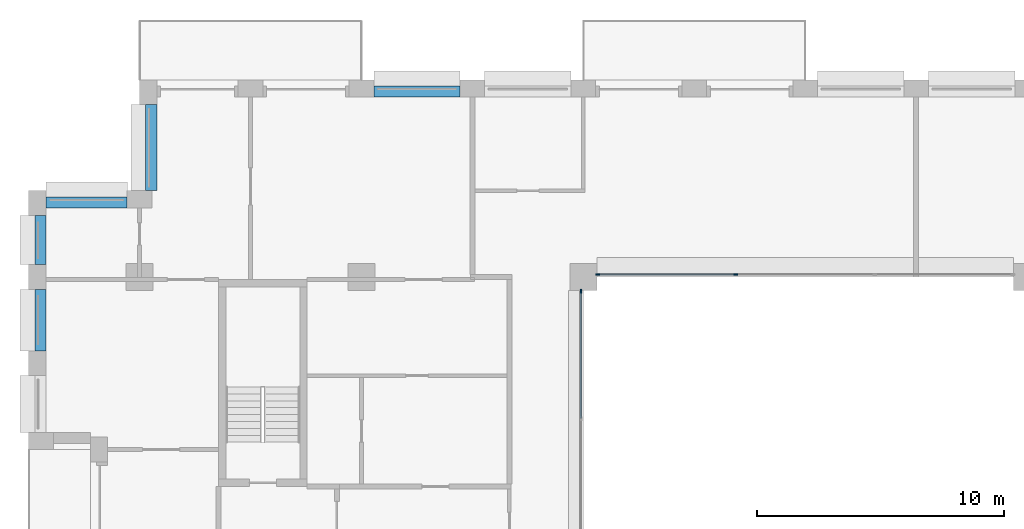
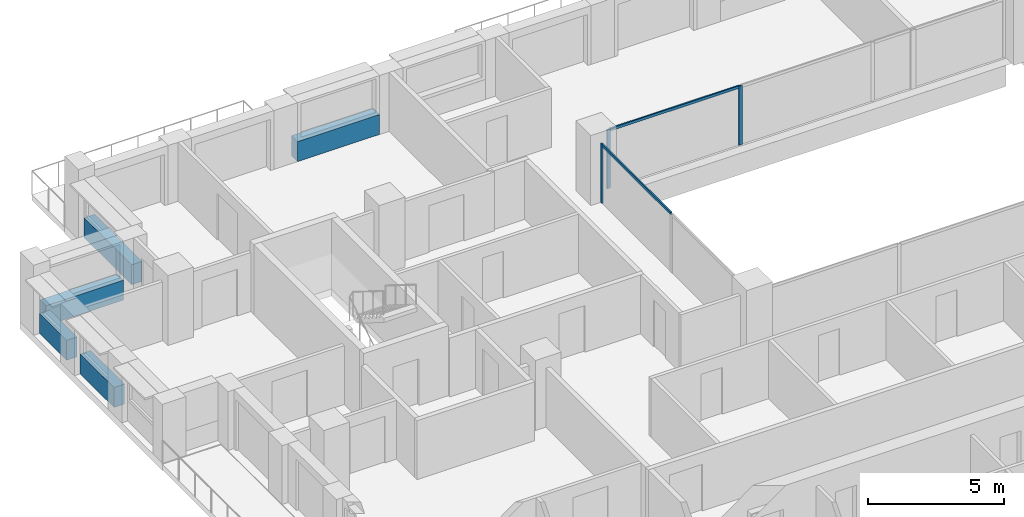
# One storey, part 5 of 16: 5 beams, 5 members, 2 elements without a shape of their own.
"""IFC4 building model written with IfcOpenShell, lengths in metres."""

import ifcopenshell
import ifcopenshell.guid

model = None  # the IFC model being written
_history = None  # IfcOwnerHistory: only IFC2X3 demands one
_inside = {}  # id of a spatial element -> (the spatial element, [elements in it])
_under = {}  # id of a project, library or spatial element -> (it, [spatial elements below it])
_declared = {}  # id of a project -> (the project, [libraries it declares])
_typed = {}  # id of a type object -> (the type object, [elements of that type])
_made_of = {}  # id of a material, layer set ... -> (it, [elements and type objects made of it])


def new_model(schema):
    """Start an empty IFC model of exactly this schema.

    Asked for "IFC4X3", IfcOpenShell would pick the latest addendum, in which some entities
    have other attributes; the version numbers below select the first issue.
    IFC2X3 requires an IfcOwnerHistory on every rooted entity: one is made here for all.
    """
    global model, _history
    if schema == "IFC4X3":
        model = ifcopenshell.file(schema_version=(4, 3, 0, 0))
    else:
        model = ifcopenshell.file(schema=schema)
    _inside.clear()
    _under.clear()
    _declared.clear()
    _typed.clear()
    _made_of.clear()
    _history = None
    if model.schema == "IFC2X3":
        org = make("IfcOrganization", Name="unknown")
        user = make(
            "IfcPersonAndOrganization",
            ThePerson=make("IfcPerson", FamilyName="unknown"),
            TheOrganization=org,
        )
        app = make(
            "IfcApplication",
            ApplicationDeveloper=org,
            Version="unknown",
            ApplicationFullName="unknown",
            ApplicationIdentifier="unknown",
        )
        _history = make(
            "IfcOwnerHistory",
            OwningUser=user,
            OwningApplication=app,
            ChangeAction="ADDED",
            CreationDate=0,
        )
    return model


def make(cls, **values):
    """One entity of the class cls with the attributes given. An attribute that is None is left unset."""
    return model.create_entity(
        cls, **{name: value for name, value in values.items() if value is not None}
    )


def rooted(cls, **values):
    """An entity with a GlobalId (a new one), such as an element, a storey or a relation."""
    return make(cls, GlobalId=ifcopenshell.guid.new(), OwnerHistory=_history, **values)


def si_unit(unit_type, name, prefix=None):
    """IfcSIUnit, for example si_unit("LENGTHUNIT", "METRE", prefix="MILLI")."""
    return make("IfcSIUnit", UnitType=unit_type, Prefix=prefix, Name=name)


def assignment(units):
    """IfcUnitAssignment: the units of a project."""
    return None if units is None else make("IfcUnitAssignment", Units=units)


def point(xyz):
    """IfcCartesianPoint."""
    return None if xyz is None else make("IfcCartesianPoint", Coordinates=xyz)


def direction(xyz):
    """IfcDirection."""
    return None if xyz is None else make("IfcDirection", DirectionRatios=xyz)


def frame(location, z_axis=None, x_axis=None):
    """IfcAxis2Placement3D, a coordinate frame: its origin and axes. An axis left out is left unset."""
    return make(
        "IfcAxis2Placement3D",
        Location=point(location),
        Axis=direction(z_axis),
        RefDirection=direction(x_axis),
    )


def frame_2d(location, x_axis=None):
    """IfcAxis2Placement2D, a coordinate frame in the plane: its origin and x axis."""
    return make(
        "IfcAxis2Placement2D", Location=point(location), RefDirection=direction(x_axis)
    )


def origin():
    """The frame at (0, 0, 0) with its axes left unset."""
    return frame((0.0, 0.0, 0.0))


def origin_2d():
    """The frame at (0, 0) in the plane with its x axis left unset."""
    return frame_2d((0.0, 0.0))


def place(relative_to, where):
    """IfcLocalPlacement: puts the frame where relative to a parent placement (None: the world)."""
    return make(
        "IfcLocalPlacement", PlacementRelTo=relative_to, RelativePlacement=where
    )


def context(
    kind, dimensions, precision=None, world=None, true_north=None, identifier=None
):
    """IfcGeometricRepresentationContext, for example the 3D "Model" context."""
    return make(
        "IfcGeometricRepresentationContext",
        ContextIdentifier=identifier,
        ContextType=kind,
        CoordinateSpaceDimension=dimensions,
        Precision=precision,
        WorldCoordinateSystem=world,
        TrueNorth=true_north,
    )


def subcontext(parent, identifier, kind, view, scale=None):
    """IfcGeometricRepresentationSubContext, for example "Body" below "Model"."""
    return make(
        "IfcGeometricRepresentationSubContext",
        ContextIdentifier=identifier,
        ContextType=kind,
        ParentContext=parent,
        TargetScale=scale,
        TargetView=view,
    )


def project(units=None, contexts=None):
    """IfcProject with its units and contexts."""
    return rooted(
        "IfcProject",
        Name="project",
        RepresentationContexts=contexts,
        UnitsInContext=assignment(units),
    )


def spatial(cls, under=None, at=None, **own):
    """A site, building, storey or space (cls), placed at a placement, below another one or the project."""
    s = rooted(cls, ObjectPlacement=at, **own)
    if under is not None:
        _under.setdefault(under.id(), (under, []))[1].append(s)
    return s


def profile(cls, at=None, kind="AREA", **sizes):
    """A parametric profile (cls). Its sizes go by their IFC names, for example OverallWidth=200.0."""
    return make(cls, ProfileType=kind, Position=at, **sizes)


def rectangle(**sizes):
    """IfcRectangleProfileDef."""
    return profile("IfcRectangleProfileDef", **sizes)


def extrude(swept, where, along, depth):
    """IfcExtrudedAreaSolid: the profile swept, set in the frame where, extruded along a direction by depth."""
    return make(
        "IfcExtrudedAreaSolid",
        SweptArea=swept,
        Position=where,
        ExtrudedDirection=direction(along),
        Depth=depth,
    )


def shape(context_of_items, identifier, shape_type, items):
    """IfcShapeRepresentation: the items that make up one representation, for example the "Body"."""
    return make(
        "IfcShapeRepresentation",
        ContextOfItems=context_of_items,
        RepresentationIdentifier=identifier,
        RepresentationType=shape_type,
        Items=items,
    )


def material(Name=None, Category=None):
    """IfcMaterial."""
    return make("IfcMaterial", Name=Name, Category=Category)


def layer(
    of_material, thickness, ventilated=None, Name=None, Category=None, Priority=None
):
    """IfcMaterialLayer: one layer of a wall or slab, of a material (None: an air gap)."""
    return make(
        "IfcMaterialLayer",
        Material=of_material,
        LayerThickness=thickness,
        IsVentilated=ventilated,
        Name=Name,
        Category=Category,
        Priority=Priority,
    )


def layer_set(layers, Name=None):
    """IfcMaterialLayerSet."""
    return make("IfcMaterialLayerSet", MaterialLayers=layers, LayerSetName=Name)


def material_profile(
    of_material, cross_section, Name=None, Category=None, Priority=None
):
    """IfcMaterialProfile: a cross section and its material."""
    return make(
        "IfcMaterialProfile",
        Name=Name,
        Material=of_material,
        Profile=cross_section,
        Priority=Priority,
        Category=Category,
    )


def profile_set(profiles, Name=None, composite=None):
    """IfcMaterialProfileSet."""
    return make(
        "IfcMaterialProfileSet",
        Name=Name,
        MaterialProfiles=profiles,
        CompositeProfile=composite,
    )


def made_of(thing, what):
    """Note that an element or type object is made of a material, layer set ...; save() writes the relation."""
    if what is not None:
        _made_of.setdefault(what.id(), (what, []))[1].append(thing)
    return thing


def type_object(cls, material=None, **own):
    """A type object (cls), such as IfcWallType, which elements share."""
    return made_of(rooted(cls, **own), material)


def element(
    cls,
    number,
    at=None,
    inside=None,
    cuts=None,
    type_object=None,
    material=None,
    context=None,
    identifier="Body",
    shape_type=None,
    held_by="IfcProductDefinitionShape",
    body=None,
    shapes=None,
    **own,
):
    """One element of the class cls, such as IfcWall. Its Tag is "e" and its number.

    at: its placement. inside: the storey or other place that contains it. cuts: it is an
    opening in that element (IfcRelVoidsElement). A single representation is given by context,
    identifier, shape_type and body (its items); several are given by shapes. held_by: the class
    of the entity that holds the representations. save() writes the other relations.
    """
    e = rooted(cls, Tag="e%d" % number, ObjectPlacement=at, **own)
    if body is not None:
        shapes = [shape(context, identifier, shape_type, body)]
    if shapes is not None:
        e.Representation = make(held_by, Representations=shapes)
    if inside is not None:
        _inside.setdefault(inside.id(), (inside, []))[1].append(e)
    if cuts is not None:
        rooted(
            "IfcRelVoidsElement", RelatingBuildingElement=cuts, RelatedOpeningElement=e
        )
    if type_object is not None:
        _typed.setdefault(type_object.id(), (type_object, []))[1].append(e)
    return made_of(e, material)


def aggregate(whole, parts):
    """IfcRelAggregates: a whole, such as a stair, and the parts it consists of."""
    return rooted("IfcRelAggregates", RelatingObject=whole, RelatedObjects=parts)


def save(model, path):
    """Write the relations noted so far, then the file.

    IfcRelAggregates (storeys below a building ...), IfcRelContainedInSpatialStructure (elements
    in a storey), IfcRelDefinesByType, IfcRelAssociatesMaterial and IfcRelDeclares: one each for
    every whole, place, type object, material and project.
    """
    for whole, parts in _under.values():
        aggregate(whole, parts)
    for where, things in _inside.values():
        rooted(
            "IfcRelContainedInSpatialStructure",
            RelatedElements=things,
            RelatingStructure=where,
        )
    for kind, things in _typed.values():
        rooted("IfcRelDefinesByType", RelatedObjects=things, RelatingType=kind)
    for what, things in _made_of.values():
        rooted("IfcRelAssociatesMaterial", RelatedObjects=things, RelatingMaterial=what)
    for by, libraries in _declared.values():
        rooted("IfcRelDeclares", RelatingContext=by, RelatedDefinitions=libraries)
    model.write(path)


model = new_model("IFC4")

# Units and contexts
model_context = context("Model", 3, precision=1e-05, world=origin(), true_north=direction((0.0, 1.0)))
body_context = subcontext(model_context, "Body", "Model", "MODEL_VIEW")
ifc_project = project(units=[si_unit("LENGTHUNIT", "METRE"), si_unit("AREAUNIT", "SQUARE_METRE"), si_unit("VOLUMEUNIT", "CUBIC_METRE"), si_unit("PLANEANGLEUNIT", "RADIAN"), si_unit("MASSUNIT", "GRAM", prefix="KILO")], contexts=[model_context])

# Site, building, storey
site_placement = place(None, origin())
site = spatial("IfcSite", under=ifc_project, at=site_placement, CompositionType="ELEMENT")
building_placement = place(site_placement, origin())
building = spatial("IfcBuilding", under=site, at=building_placement, Name="Brigalow Station Residences", CompositionType="ELEMENT")
storey_placement = place(building_placement, frame((0.0, 0.0, 182.25)))
storey = spatial("IfcBuildingStorey", under=building, at=storey_placement, Name="L53", CompositionType="ELEMENT", Elevation=182.25)

# Curtain wall, members
ifc_material_1 = material(Name="Aluminium", Category="aluminium")
ifc_layer = layer(ifc_material_1, 0.14990234375)
ifc_layer_set = layer_set([ifc_layer], Name="ATRIUM FIRE-RATED GLAZING CURTAIN WALL")
curtain_wall_type = type_object("IfcCurtainWallType", Name="ATRIUM FIRE-RATED GLAZING CURTAIN WALL", PredefinedType="NOTDEFINED", material=ifc_layer_set)
curtain_wall_1_placement = place(storey_placement, origin())
curtain_wall_1 = element("IfcCurtainWall", 1, at=curtain_wall_1_placement, inside=storey, type_object=curtain_wall_type, Name="L53/cw/atrium-N", PredefinedType="NOTDEFINED")
ifc_material_2 = material(Name="Aluminium", Category="aluminium")
ifc_material_profile_1 = material_profile(ifc_material_2, rectangle(XDim=0.06005859375, YDim=0.14990234375, at=origin_2d()), Name="ATRIUM FIRE-RATED GLAZING MULLION 60x150")
ifc_profile_set_1 = profile_set([ifc_material_profile_1], Name="Aluminium")
member_type_1 = type_object("IfcMemberType", Name="ATRIUM FIRE-RATED GLAZING MULLION 60x150", PredefinedType="MULLION", material=ifc_profile_set_1)
member_1_placement = place(storey_placement, frame((33.183349609375, 35.60009765625, 0.0), z_axis=(0.0, 0.0, 1.0), x_axis=(0.0, -1.0, 0.0)))
member_1 = element("IfcMember", 2, at=member_1_placement, type_object=member_type_1, Name="L53/cw/atrium-N/M02", PredefinedType="MULLION", context=body_context, shape_type="SweptSolid", body=[
    extrude(rectangle(XDim=0.06005859375, YDim=0.14990234375, at=origin_2d()), origin(), (0.0, 0.0, 1.0), 2.64990234375),
])
member_2_placement = place(storey_placement, frame((27.580078125, 35.60009765625, 0.0), z_axis=(0.0, 0.0, 1.0), x_axis=(0.0, -1.0, 0.0)))
member_2 = element("IfcMember", 3, at=member_2_placement, type_object=member_type_1, Name="L53/cw/atrium-N/M03", PredefinedType="MULLION", context=body_context, shape_type="SweptSolid", body=[
    extrude(rectangle(XDim=0.06005859375, YDim=0.14990234375, at=origin_2d()), origin(), (0.0, 0.0, 1.0), 2.64990234375),
])

# Curtain wall, member
curtain_wall_2_placement = place(storey_placement, origin())
curtain_wall_2 = element("IfcCurtainWall", 4, at=curtain_wall_2_placement, inside=storey, type_object=curtain_wall_type, Name="L53/cw/atrium-W", PredefinedType="NOTDEFINED")
member_3_placement = place(storey_placement, frame((26.89990234375, 34.919921875, 0.0), z_axis=(0.0, 0.0, 1.0), x_axis=(1.0, 0.0, 0.0)))
member_3 = element("IfcMember", 5, at=member_3_placement, type_object=member_type_1, Name="L53/cw/atrium-W/M00", PredefinedType="MULLION", context=body_context, shape_type="SweptSolid", body=[
    extrude(rectangle(XDim=0.06005859375, YDim=0.14990234375, at=origin_2d()), origin(), (0.0, 0.0, 1.0), 2.64990234375),
])

# Member
ifc_material_3 = material(Name="Aluminium", Category="aluminium")
ifc_material_profile_2 = material_profile(ifc_material_3, rectangle(XDim=0.06005859375, YDim=0.1201171875, at=origin_2d()), Name="ATRIUM FIRE-RATED GLAZING TRANSOM 60x120")
ifc_profile_set_2 = profile_set([ifc_material_profile_2], Name="Aluminium")
member_type_2 = type_object("IfcMemberType", Name="ATRIUM FIRE-RATED GLAZING TRANSOM 60x120", PredefinedType="USERDEFINED", material=ifc_profile_set_2)
member_4_placement = place(storey_placement, frame((33.1533203125, 35.60009765625, 2.6201171875), z_axis=(-1.0, 0.0, 0.0), x_axis=(0.0, -1.0, 0.0)))
member_4 = element("IfcMember", 6, at=member_4_placement, type_object=member_type_2, Name="L53/cw/atrium-N/T02-00", ObjectType="TRANSOM", PredefinedType="USERDEFINED", context=body_context, shape_type="SweptSolid", body=[
    extrude(rectangle(XDim=0.06005859375, YDim=0.1201171875, at=origin_2d()), origin(), (0.0, 0.0, 1.0), 5.543212890625),
])

aggregate(curtain_wall_1, [member_1, member_2, member_4])

member_5_placement = place(storey_placement, frame((26.89990234375, 34.889892578125, 2.6201171875), z_axis=(0.0, -1.0, 0.0), x_axis=(1.0, 0.0, 0.0)))
member_5 = element("IfcMember", 7, at=member_5_placement, type_object=member_type_2, Name="L53/cw/atrium-W/T00-00", ObjectType="TRANSOM", PredefinedType="USERDEFINED", context=body_context, shape_type="SweptSolid", body=[
    extrude(rectangle(XDim=0.06005859375, YDim=0.1201171875, at=origin_2d()), origin(), (0.0, 0.0, 1.0), 5.10986328125),
])

aggregate(curtain_wall_2, [member_3, member_5])

# Beams
ifc_material_4 = material(Name="Concrete C50", Category="concrete")
ifc_material_profile_3 = material_profile(ifc_material_4, rectangle(XDim=0.449951171875, YDim=0.89990234375, at=origin_2d()), Name="RC450x900")
ifc_profile_set_3 = profile_set([ifc_material_profile_3], Name="Concrete C50")
beam_type = type_object("IfcBeamType", Name="SPANDREL BEAM 450x900 C50", PredefinedType="SPANDREL", material=ifc_profile_set_3)
for number, where, z_axis, x_axis, name in (
    (8, (22.0, 43.02490234375, 0.449951171875), (-1.0, 0.0, 0.0), (0.0, -1.0, 0.0), "L53/spandrel/W-L53-32"),
    (9, (9.47509765625, 42.5, 0.449951171875), (0.0, -1.0, 0.0), (1.0, 0.0, 0.0), "L53/spandrel/W-L53-35"),
):
    element("IfcBeam", number, at=place(storey_placement, frame(where, z_axis=z_axis, x_axis=x_axis)), inside=storey, type_object=beam_type, Name=name, PredefinedType="SPANDREL", context=body_context, shape_type="SweptSolid", body=[
        extrude(rectangle(XDim=0.449951171875, YDim=0.89990234375, at=origin_2d()), origin(), (0.0, 0.0, 1.0), 3.5),
    ])
beam_1_placement = place(storey_placement, frame((8.5, 38.52490234375, 0.449951171875), z_axis=(-1.0, 0.0, 0.0), x_axis=(0.0, -1.0, 0.0)))
element("IfcBeam", 10, at=beam_1_placement, inside=storey, type_object=beam_type, Name="L53/spandrel/W-L53-36", PredefinedType="SPANDREL", context=body_context, shape_type="SweptSolid", body=[
    extrude(rectangle(XDim=0.449951171875, YDim=0.89990234375, at=origin_2d()), origin(), (0.0, 0.0, 1.0), 3.300048828125),
])
beam_2_placement = place(storey_placement, frame((4.97509765625, 38.0, 0.449951171875), z_axis=(0.0, -1.0, 0.0), x_axis=(1.0, 0.0, 0.0)))
element("IfcBeam", 11, at=beam_2_placement, inside=storey, type_object=beam_type, Name="L53/spandrel/W-L53-37", PredefinedType="SPANDREL", context=body_context, shape_type="SweptSolid", body=[
    extrude(rectangle(XDim=0.449951171875, YDim=0.89990234375, at=origin_2d()), origin(), (0.0, 0.0, 1.0), 2.0),
])
beam_3_placement = place(storey_placement, frame((4.97509765625, 35.0, 0.449951171875), z_axis=(0.0, -1.0, 0.0), x_axis=(1.0, 0.0, 0.0)))
element("IfcBeam", 12, at=beam_3_placement, inside=storey, type_object=beam_type, Name="L53/spandrel/W-L53-38", PredefinedType="SPANDREL", context=body_context, shape_type="SweptSolid", body=[
    extrude(rectangle(XDim=0.449951171875, YDim=0.89990234375, at=origin_2d()), origin(), (0.0, 0.0, 1.0), 2.5),
])

save(model, "model.ifc")
